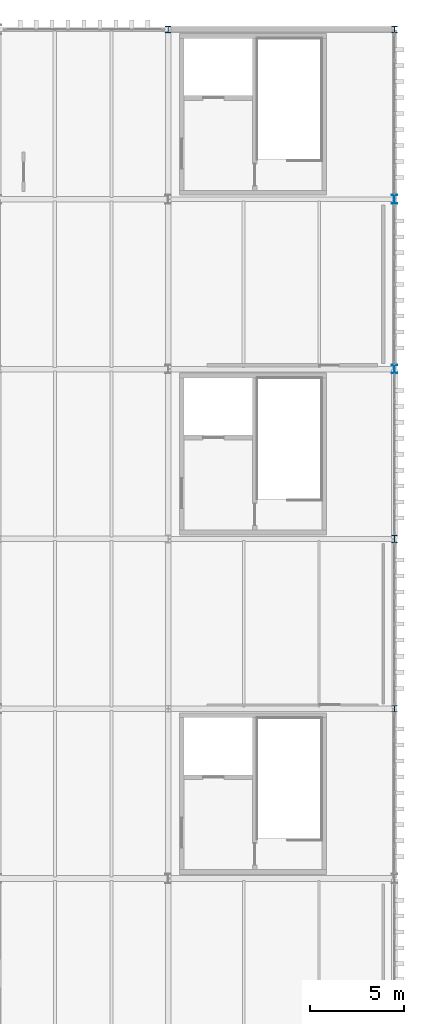
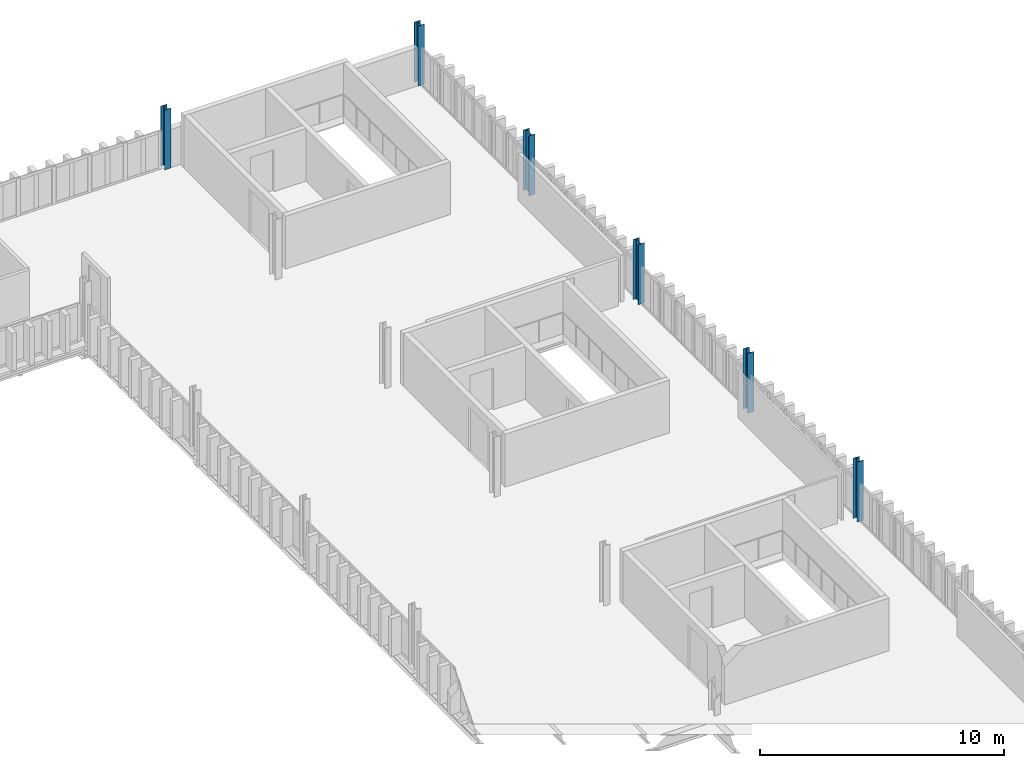
# One storey, part 9 of 58: 6 columns.
"""IFC4 building model written with IfcOpenShell, lengths in metres."""

from ifc_helpers import new_model, si_unit, direction, frame, origin, origin_2d, place, context, subcontext, project, spatial, i_section, extrude, material, material_profile, profile_set, type_object, element, save


model = new_model("IFC4")

# Units and contexts
model_context = context("Model", 3, precision=1e-05, world=origin(), true_north=direction((0.0, 1.0)))
body_context = subcontext(model_context, "Body", "Model", "MODEL_VIEW")
ifc_project = project(units=[si_unit("LENGTHUNIT", "METRE"), si_unit("AREAUNIT", "SQUARE_METRE"), si_unit("VOLUMEUNIT", "CUBIC_METRE"), si_unit("PLANEANGLEUNIT", "RADIAN"), si_unit("MASSUNIT", "GRAM", prefix="KILO")], contexts=[model_context])

# Site, building, storey
site_placement = place(None, origin())
site = spatial("IfcSite", under=ifc_project, at=site_placement, CompositionType="ELEMENT")
building_placement = place(site_placement, origin())
building = spatial("IfcBuilding", under=site, at=building_placement, Name="Barlavento Convention Centre", CompositionType="ELEMENT")
storey_placement = place(building_placement, frame((0.0, 0.0, 26.800048828125)))
storey = spatial("IfcBuildingStorey", under=building, at=storey_placement, Name="L05", CompositionType="ELEMENT", Elevation=26.800048828125)

# Columns
ifc_material = material(Name="Steel S355", Category="steel")
ifc_material_profile_1 = material_profile(ifc_material, i_section(OverallWidth=0.300048828125, OverallDepth=0.340087890625, WebThickness=0.011962890625, FlangeThickness=0.021484375, FilletRadius=0.027099609375, at=origin_2d()), Name="HEB 340")
ifc_profile_set_1 = profile_set([ifc_material_profile_1], Name="Steel S355")
column_type_1 = type_object("IfcColumnType", Name="STR-COL-HEB340", PredefinedType="COLUMN", material=ifc_profile_set_1)
for number, where, z_axis, x_axis, name in (
    (1, (180.0, 99.0, 0.0), (0.0, 0.0, 1.0), (1.0, 0.0, 0.0), "L05 column SC12"),
    (2, (192.0, 63.0, 0.0), (0.0, 0.0, 1.0), (1.0, 0.0, 0.0), "L05 column SC12"),
    (3, (192.0, 99.0, 0.0), (0.0, 0.0, 1.0), (1.0, 0.0, 0.0), "L05 column SC12"),
):
    element("IfcColumn", number, at=place(storey_placement, frame(where, z_axis=z_axis, x_axis=x_axis)), inside=storey, type_object=column_type_1, Name=name, PredefinedType="COLUMN", context=body_context, shape_type="SweptSolid", body=[
        extrude(i_section(OverallWidth=0.300048828125, OverallDepth=0.340087890625, WebThickness=0.011962890625, FlangeThickness=0.021484375, FilletRadius=0.027099609375, at=origin_2d()), origin(), (0.0, 0.0, 1.0), 3.0),
    ])
ifc_material_profile_2 = material_profile(ifc_material, i_section(OverallWidth=0.300048828125, OverallDepth=0.39990234375, WebThickness=0.013427734375, FlangeThickness=0.02392578125, FilletRadius=0.027099609375, at=origin_2d()), Name="HEB 400")
ifc_profile_set_2 = profile_set([ifc_material_profile_2], Name="Steel S355")
column_type_2 = type_object("IfcColumnType", Name="STR-COL-HEB400", PredefinedType="COLUMN", material=ifc_profile_set_2)
column_1_placement = place(storey_placement, frame((192.0, 72.0, 0.0), z_axis=(0.0, 0.0, 1.0), x_axis=(1.0, 0.0, 0.0)))
element("IfcColumn", 4, at=column_1_placement, inside=storey, type_object=column_type_2, Name="L05 column SC11", PredefinedType="COLUMN", context=body_context, shape_type="SweptSolid", body=[
    extrude(i_section(OverallWidth=0.300048828125, OverallDepth=0.39990234375, WebThickness=0.013427734375, FlangeThickness=0.02392578125, FilletRadius=0.027099609375, at=origin_2d()), origin(), (0.0, 0.0, 1.0), 3.0),
])
ifc_material_profile_3 = material_profile(ifc_material, i_section(OverallWidth=0.300048828125, OverallDepth=0.449951171875, WebThickness=0.013916015625, FlangeThickness=0.02587890625, FilletRadius=0.027099609375, at=origin_2d()), Name="HEB 450")
ifc_profile_set_3 = profile_set([ifc_material_profile_3], Name="Steel S355")
column_type_3 = type_object("IfcColumnType", Name="STR-COL-HEB450", PredefinedType="COLUMN", material=ifc_profile_set_3)
column_2_placement = place(storey_placement, frame((192.0, 81.0, 0.0), z_axis=(0.0, 0.0, 1.0), x_axis=(1.0, 0.0, 0.0)))
element("IfcColumn", 5, at=column_2_placement, inside=storey, type_object=column_type_3, Name="L05 column SC10", PredefinedType="COLUMN", context=body_context, shape_type="SweptSolid", body=[
    extrude(i_section(OverallWidth=0.300048828125, OverallDepth=0.449951171875, WebThickness=0.013916015625, FlangeThickness=0.02587890625, FilletRadius=0.027099609375, at=origin_2d()), origin(), (0.0, 0.0, 1.0), 3.0),
])
ifc_material_profile_4 = material_profile(ifc_material, i_section(OverallWidth=0.300048828125, OverallDepth=0.5, WebThickness=0.014404296875, FlangeThickness=0.028076171875, FilletRadius=0.027099609375, at=origin_2d()), Name="HEB 500")
ifc_profile_set_4 = profile_set([ifc_material_profile_4], Name="Steel S355")
column_type_4 = type_object("IfcColumnType", Name="STR-COL-HEB500", PredefinedType="COLUMN", material=ifc_profile_set_4)
column_3_placement = place(storey_placement, frame((192.0, 90.0, 0.0), z_axis=(0.0, 0.0, 1.0), x_axis=(1.0, 0.0, 0.0)))
element("IfcColumn", 6, at=column_3_placement, inside=storey, type_object=column_type_4, Name="L05 column SC09", PredefinedType="COLUMN", context=body_context, shape_type="SweptSolid", body=[
    extrude(i_section(OverallWidth=0.300048828125, OverallDepth=0.5, WebThickness=0.014404296875, FlangeThickness=0.028076171875, FilletRadius=0.027099609375, at=origin_2d()), origin(), (0.0, 0.0, 1.0), 3.0),
])

save(model, "model.ifc")
